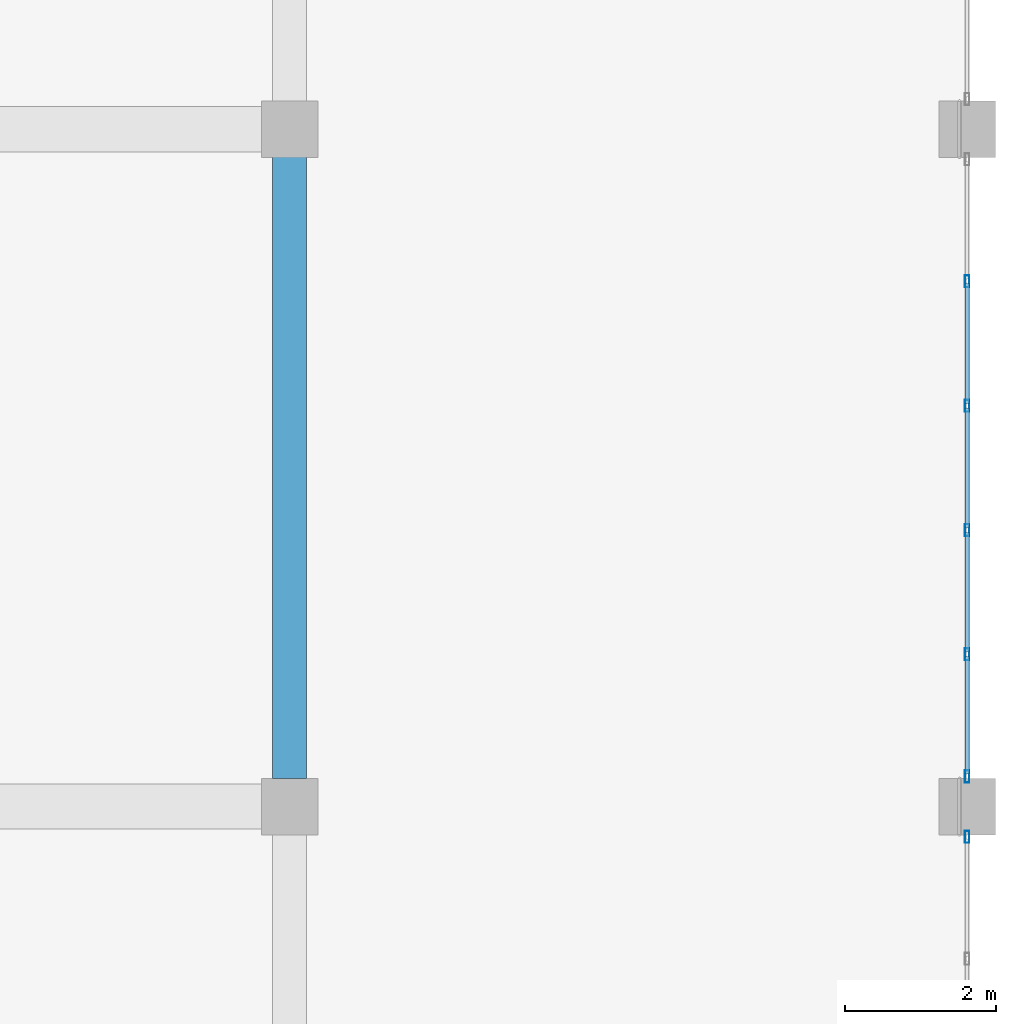
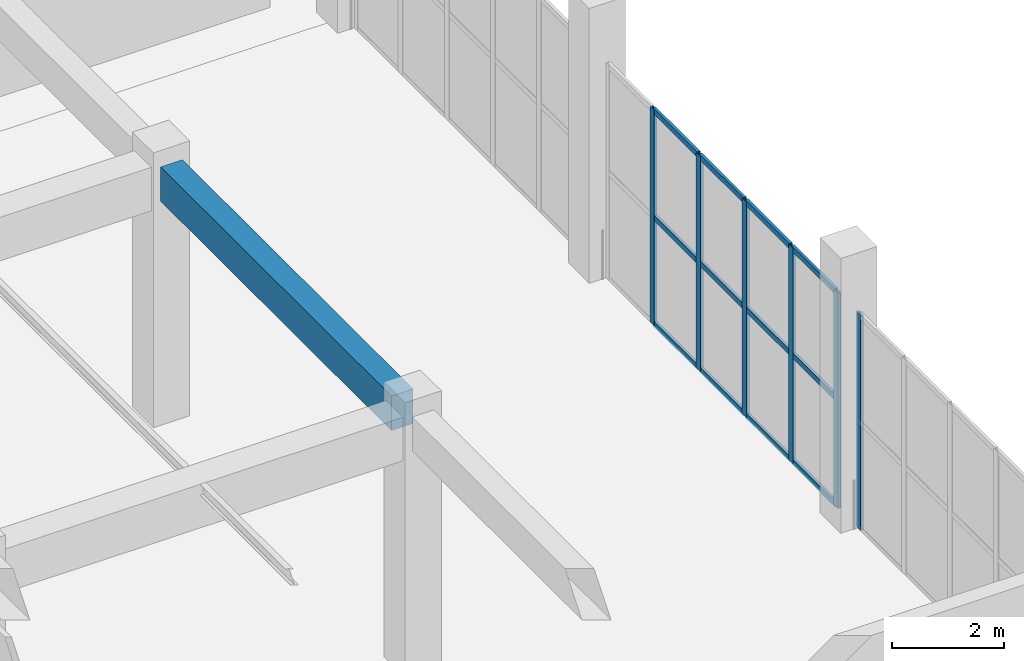
# One storey, part 69 of 223: 18 members, 1 beam, 2 elements without a shape of their own.
"""IFC4 building model written with IfcOpenShell, lengths in metres."""

from ifc_helpers import new_model, si_unit, direction, frame, origin, origin_2d, place, context, subcontext, project, spatial, rectangle, hollow_rectangle, extrude, material, layer, layer_set, material_profile, profile_set, type_object, element, aggregate, save


model = new_model("IFC4")

# Units and contexts
model_context = context("Model", 3, precision=1e-05, world=origin(), true_north=direction((0.0, 1.0)))
body_context = subcontext(model_context, "Body", "Model", "MODEL_VIEW")
ifc_project = project(units=[si_unit("LENGTHUNIT", "METRE"), si_unit("AREAUNIT", "SQUARE_METRE"), si_unit("VOLUMEUNIT", "CUBIC_METRE"), si_unit("PLANEANGLEUNIT", "RADIAN"), si_unit("MASSUNIT", "GRAM", prefix="KILO")], contexts=[model_context])

# Site, building, storey
site_placement = place(None, origin())
site = spatial("IfcSite", under=ifc_project, at=site_placement, CompositionType="ELEMENT")
building_placement = place(site_placement, origin())
building = spatial("IfcBuilding", under=site, at=building_placement, Name="Dornveld Trade and Exhibition Forum", CompositionType="ELEMENT")
storey_placement = place(building_placement, frame((0.0, 0.0, 6.0)))
storey = spatial("IfcBuildingStorey", under=building, at=storey_placement, Name="L01", CompositionType="ELEMENT", Elevation=6.0)

# Beam
ifc_material_1 = material(Name="Precast concrete C50/60", Category="concrete")
ifc_material_profile_1 = material_profile(ifc_material_1, rectangle(XDim=0.449951171875, YDim=0.75, at=origin_2d()), Name="PC-BM 450x750")
ifc_profile_set_1 = profile_set([ifc_material_profile_1], Name="Precast concrete C50/60")
beam_type = type_object("IfcBeamType", Name="BM-PC-450x750", PredefinedType="BEAM", material=ifc_profile_set_1)
beam_placement = place(storey_placement, frame((225.0, 9.37109375, 5.264892578125), z_axis=(0.0, 1.0, 0.0), x_axis=(-1.0, 0.0, 0.0)))
element("IfcBeam", 1, at=beam_placement, inside=storey, type_object=beam_type, Name="L01 Y-girder 1314", PredefinedType="BEAM", context=body_context, shape_type="SweptSolid", body=[
    extrude(rectangle(XDim=0.449951171875, YDim=0.75, at=origin_2d()), origin(), (0.0, 0.0, 1.0), 8.2578125),
])

# Curtain wall, member
ifc_material_2 = material(Name="Dark-bronze anodised aluminium and low-E glass", Category="aluminium")
ifc_layer_1 = layer(ifc_material_2, 0.18994140625)
ifc_layer_set_1 = layer_set([ifc_layer_1], Name="Dark-bronze anodised aluminium and low-E glass")
curtain_wall_type_1 = type_object("IfcCurtainWallType", Name="CW-SYS-16", PredefinedType="USERDEFINED", material=ifc_layer_set_1)
curtain_wall_1_placement = place(storey_placement, origin())
curtain_wall_1 = element("IfcCurtainWall", 2, at=curtain_wall_1_placement, inside=storey, type_object=curtain_wall_type_1, Name="L01 unitised curtain wall 70", ObjectType="UNITISED_CURTAIN_WALL", PredefinedType="USERDEFINED")
ifc_material_3 = material(Name="Dark-bronze anodised aluminium", Category="aluminium")
ifc_material_profile_2 = material_profile(ifc_material_3, hollow_rectangle(XDim=0.06005859375, YDim=0.159912109375, WallThickness=0.00390625, at=origin_2d()), Name="RHS 160x60x4")
ifc_profile_set_2 = profile_set([ifc_material_profile_2], Name="Dark-bronze anodised aluminium")
member_type_1 = type_object("IfcMemberType", Name="CW-MUL-160", PredefinedType="MULLION", material=ifc_profile_set_2)
member_1_placement = place(storey_placement, frame((234.0, 8.59912109375, -0.00390625), z_axis=(0.0, 0.0, 1.0), x_axis=(-1.0, 0.0, 0.0)))
member_1 = element("IfcMember", 3, at=member_1_placement, type_object=member_type_1, Name="CW-16 mullion 6", PredefinedType="MULLION", context=body_context, shape_type="SweptSolid", body=[
    extrude(hollow_rectangle(XDim=0.06005859375, YDim=0.159912109375, WallThickness=0.00390625, at=origin_2d()), origin(), (0.0, 0.0, 1.0), 4.703857421875),
])
aggregate(curtain_wall_1, [member_1])

# Curtain wall, members
ifc_material_4 = material(Name="Dark-bronze anodised aluminium and low-E glass", Category="aluminium")
ifc_layer_2 = layer(ifc_material_4, 0.193115234375)
ifc_layer_set_2 = layer_set([ifc_layer_2], Name="Dark-bronze anodised aluminium and low-E glass")
curtain_wall_type_2 = type_object("IfcCurtainWallType", Name="CW-SYS-17", PredefinedType="USERDEFINED", material=ifc_layer_set_2)
curtain_wall_2_placement = place(storey_placement, origin())
curtain_wall_2 = element("IfcCurtainWall", 4, at=curtain_wall_2_placement, inside=storey, type_object=curtain_wall_type_2, Name="L01 unitised curtain wall 71", ObjectType="UNITISED_CURTAIN_WALL", PredefinedType="USERDEFINED")
member_2_placement = place(storey_placement, frame((234.0, 9.40087890625, -0.00390625), z_axis=(0.0, 0.0, 1.0), x_axis=(-1.0, 0.0, 0.0)))
member_2 = element("IfcMember", 5, at=member_2_placement, type_object=member_type_1, Name="CW-17 mullion 1", PredefinedType="MULLION", context=body_context, shape_type="SweptSolid", body=[
    extrude(hollow_rectangle(XDim=0.06005859375, YDim=0.159912109375, WallThickness=0.00390625, at=origin_2d()), origin(), (0.0, 0.0, 1.0), 4.703857421875),
])
member_3_placement = place(storey_placement, frame((234.0, 11.022705078125, -0.00390625), z_axis=(0.0, 0.0, 1.0), x_axis=(-1.0, 0.0, 0.0)))
member_3 = element("IfcMember", 6, at=member_3_placement, type_object=member_type_1, Name="CW-17 mullion 2", PredefinedType="MULLION", context=body_context, shape_type="SweptSolid", body=[
    extrude(hollow_rectangle(XDim=0.06005859375, YDim=0.159912109375, WallThickness=0.00390625, at=origin_2d()), origin(), (0.0, 0.0, 1.0), 4.703857421875),
])
member_4_placement = place(storey_placement, frame((234.0, 12.67431640625, -0.00390625), z_axis=(0.0, 0.0, 1.0), x_axis=(-1.0, 0.0, 0.0)))
member_4 = element("IfcMember", 7, at=member_4_placement, type_object=member_type_1, Name="CW-17 mullion 3", PredefinedType="MULLION", context=body_context, shape_type="SweptSolid", body=[
    extrude(hollow_rectangle(XDim=0.06005859375, YDim=0.159912109375, WallThickness=0.00390625, at=origin_2d()), origin(), (0.0, 0.0, 1.0), 4.703857421875),
])
member_5_placement = place(storey_placement, frame((234.0, 14.32568359375, -0.00390625), z_axis=(0.0, 0.0, 1.0), x_axis=(-1.0, 0.0, 0.0)))
member_5 = element("IfcMember", 8, at=member_5_placement, type_object=member_type_1, Name="CW-17 mullion 4", PredefinedType="MULLION", context=body_context, shape_type="SweptSolid", body=[
    extrude(hollow_rectangle(XDim=0.06005859375, YDim=0.159912109375, WallThickness=0.00390625, at=origin_2d()), origin(), (0.0, 0.0, 1.0), 4.703857421875),
])
member_6_placement = place(storey_placement, frame((234.0, 15.977294921875, -0.00390625), z_axis=(0.0, 0.0, 1.0), x_axis=(-1.0, 0.0, 0.0)))
member_6 = element("IfcMember", 9, at=member_6_placement, type_object=member_type_1, Name="CW-17 mullion 5", PredefinedType="MULLION", context=body_context, shape_type="SweptSolid", body=[
    extrude(hollow_rectangle(XDim=0.06005859375, YDim=0.159912109375, WallThickness=0.00390625, at=origin_2d()), origin(), (0.0, 0.0, 1.0), 4.703857421875),
])
ifc_material_5 = material(Name="Dark-bronze anodised aluminium", Category="aluminium")
ifc_material_profile_3 = material_profile(ifc_material_5, hollow_rectangle(XDim=0.06005859375, YDim=0.1201171875, WallThickness=0.00390625, at=origin_2d()), Name="RHS 120x60x4")
ifc_profile_set_3 = profile_set([ifc_material_profile_3], Name="Dark-bronze anodised aluminium")
member_type_2 = type_object("IfcMemberType", Name="CW-TRN-120", PredefinedType="USERDEFINED", material=ifc_profile_set_3)
member_7_placement = place(storey_placement, frame((234.0, 9.430908203125, 0.02587890625), z_axis=(0.0, 1.0, 0.0), x_axis=(-1.0, 0.0, 0.0)))
member_7 = element("IfcMember", 10, at=member_7_placement, type_object=member_type_2, Name="CW-17 transom 1.1", ObjectType="TRANSOM", PredefinedType="USERDEFINED", context=body_context, shape_type="SweptSolid", body=[
    extrude(hollow_rectangle(XDim=0.06005859375, YDim=0.1201171875, WallThickness=0.00390625, at=origin_2d()), origin(), (0.0, 0.0, 1.0), 1.561767578125),
])
member_8_placement = place(storey_placement, frame((234.0, 9.430908203125, 2.347900390625), z_axis=(0.0, 1.0, 0.0), x_axis=(-1.0, 0.0, 0.0)))
member_8 = element("IfcMember", 11, at=member_8_placement, type_object=member_type_2, Name="CW-17 transom 1.2", ObjectType="TRANSOM", PredefinedType="USERDEFINED", context=body_context, shape_type="SweptSolid", body=[
    extrude(hollow_rectangle(XDim=0.06005859375, YDim=0.1201171875, WallThickness=0.00390625, at=origin_2d()), origin(), (0.0, 0.0, 1.0), 1.561767578125),
])
member_9_placement = place(storey_placement, frame((234.0, 9.430908203125, 4.669921875), z_axis=(0.0, 1.0, 0.0), x_axis=(-1.0, 0.0, 0.0)))
member_9 = element("IfcMember", 12, at=member_9_placement, type_object=member_type_2, Name="CW-17 transom 1.3", ObjectType="TRANSOM", PredefinedType="USERDEFINED", context=body_context, shape_type="SweptSolid", body=[
    extrude(hollow_rectangle(XDim=0.06005859375, YDim=0.1201171875, WallThickness=0.00390625, at=origin_2d()), origin(), (0.0, 0.0, 1.0), 1.561767578125),
])
member_10_placement = place(storey_placement, frame((234.0, 11.052490234375, 0.02587890625), z_axis=(0.0, 1.0, 0.0), x_axis=(-1.0, 0.0, 0.0)))
member_10 = element("IfcMember", 13, at=member_10_placement, type_object=member_type_2, Name="CW-17 transom 2.1", ObjectType="TRANSOM", PredefinedType="USERDEFINED", context=body_context, shape_type="SweptSolid", body=[
    extrude(hollow_rectangle(XDim=0.06005859375, YDim=0.1201171875, WallThickness=0.00390625, at=origin_2d()), origin(), (0.0, 0.0, 1.0), 1.591796875),
])
member_11_placement = place(storey_placement, frame((234.0, 11.052490234375, 2.347900390625), z_axis=(0.0, 1.0, 0.0), x_axis=(-1.0, 0.0, 0.0)))
member_11 = element("IfcMember", 14, at=member_11_placement, type_object=member_type_2, Name="CW-17 transom 2.2", ObjectType="TRANSOM", PredefinedType="USERDEFINED", context=body_context, shape_type="SweptSolid", body=[
    extrude(hollow_rectangle(XDim=0.06005859375, YDim=0.1201171875, WallThickness=0.00390625, at=origin_2d()), origin(), (0.0, 0.0, 1.0), 1.591796875),
])
member_12_placement = place(storey_placement, frame((234.0, 11.052490234375, 4.669921875), z_axis=(0.0, 1.0, 0.0), x_axis=(-1.0, 0.0, 0.0)))
member_12 = element("IfcMember", 15, at=member_12_placement, type_object=member_type_2, Name="CW-17 transom 2.3", ObjectType="TRANSOM", PredefinedType="USERDEFINED", context=body_context, shape_type="SweptSolid", body=[
    extrude(hollow_rectangle(XDim=0.06005859375, YDim=0.1201171875, WallThickness=0.00390625, at=origin_2d()), origin(), (0.0, 0.0, 1.0), 1.591796875),
])
member_13_placement = place(storey_placement, frame((234.0, 12.7041015625, 0.02587890625), z_axis=(0.0, 1.0, 0.0), x_axis=(-1.0, 0.0, 0.0)))
member_13 = element("IfcMember", 16, at=member_13_placement, type_object=member_type_2, Name="CW-17 transom 3.1", ObjectType="TRANSOM", PredefinedType="USERDEFINED", context=body_context, shape_type="SweptSolid", body=[
    extrude(hollow_rectangle(XDim=0.06005859375, YDim=0.1201171875, WallThickness=0.00390625, at=origin_2d()), origin(), (0.0, 0.0, 1.0), 1.591796875),
])
member_14_placement = place(storey_placement, frame((234.0, 12.7041015625, 2.347900390625), z_axis=(0.0, 1.0, 0.0), x_axis=(-1.0, 0.0, 0.0)))
member_14 = element("IfcMember", 17, at=member_14_placement, type_object=member_type_2, Name="CW-17 transom 3.2", ObjectType="TRANSOM", PredefinedType="USERDEFINED", context=body_context, shape_type="SweptSolid", body=[
    extrude(hollow_rectangle(XDim=0.06005859375, YDim=0.1201171875, WallThickness=0.00390625, at=origin_2d()), origin(), (0.0, 0.0, 1.0), 1.591796875),
])
member_15_placement = place(storey_placement, frame((234.0, 12.7041015625, 4.669921875), z_axis=(0.0, 1.0, 0.0), x_axis=(-1.0, 0.0, 0.0)))
member_15 = element("IfcMember", 18, at=member_15_placement, type_object=member_type_2, Name="CW-17 transom 3.3", ObjectType="TRANSOM", PredefinedType="USERDEFINED", context=body_context, shape_type="SweptSolid", body=[
    extrude(hollow_rectangle(XDim=0.06005859375, YDim=0.1201171875, WallThickness=0.00390625, at=origin_2d()), origin(), (0.0, 0.0, 1.0), 1.591796875),
])
member_16_placement = place(storey_placement, frame((234.0, 14.355712890625, 0.02587890625), z_axis=(0.0, 1.0, 0.0), x_axis=(-1.0, 0.0, 0.0)))
member_16 = element("IfcMember", 19, at=member_16_placement, type_object=member_type_2, Name="CW-17 transom 4.1", ObjectType="TRANSOM", PredefinedType="USERDEFINED", context=body_context, shape_type="SweptSolid", body=[
    extrude(hollow_rectangle(XDim=0.06005859375, YDim=0.1201171875, WallThickness=0.00390625, at=origin_2d()), origin(), (0.0, 0.0, 1.0), 1.591796875),
])
member_17_placement = place(storey_placement, frame((234.0, 14.355712890625, 2.347900390625), z_axis=(0.0, 1.0, 0.0), x_axis=(-1.0, 0.0, 0.0)))
member_17 = element("IfcMember", 20, at=member_17_placement, type_object=member_type_2, Name="CW-17 transom 4.2", ObjectType="TRANSOM", PredefinedType="USERDEFINED", context=body_context, shape_type="SweptSolid", body=[
    extrude(hollow_rectangle(XDim=0.06005859375, YDim=0.1201171875, WallThickness=0.00390625, at=origin_2d()), origin(), (0.0, 0.0, 1.0), 1.591796875),
])
member_18_placement = place(storey_placement, frame((234.0, 14.355712890625, 4.669921875), z_axis=(0.0, 1.0, 0.0), x_axis=(-1.0, 0.0, 0.0)))
member_18 = element("IfcMember", 21, at=member_18_placement, type_object=member_type_2, Name="CW-17 transom 4.3", ObjectType="TRANSOM", PredefinedType="USERDEFINED", context=body_context, shape_type="SweptSolid", body=[
    extrude(hollow_rectangle(XDim=0.06005859375, YDim=0.1201171875, WallThickness=0.00390625, at=origin_2d()), origin(), (0.0, 0.0, 1.0), 1.591796875),
])
aggregate(curtain_wall_2, [member_2, member_3, member_4, member_5, member_6, member_7, member_8, member_9, member_10, member_11, member_12, member_13, member_14, member_15, member_16, member_17, member_18])

save(model, "model.ifc")
